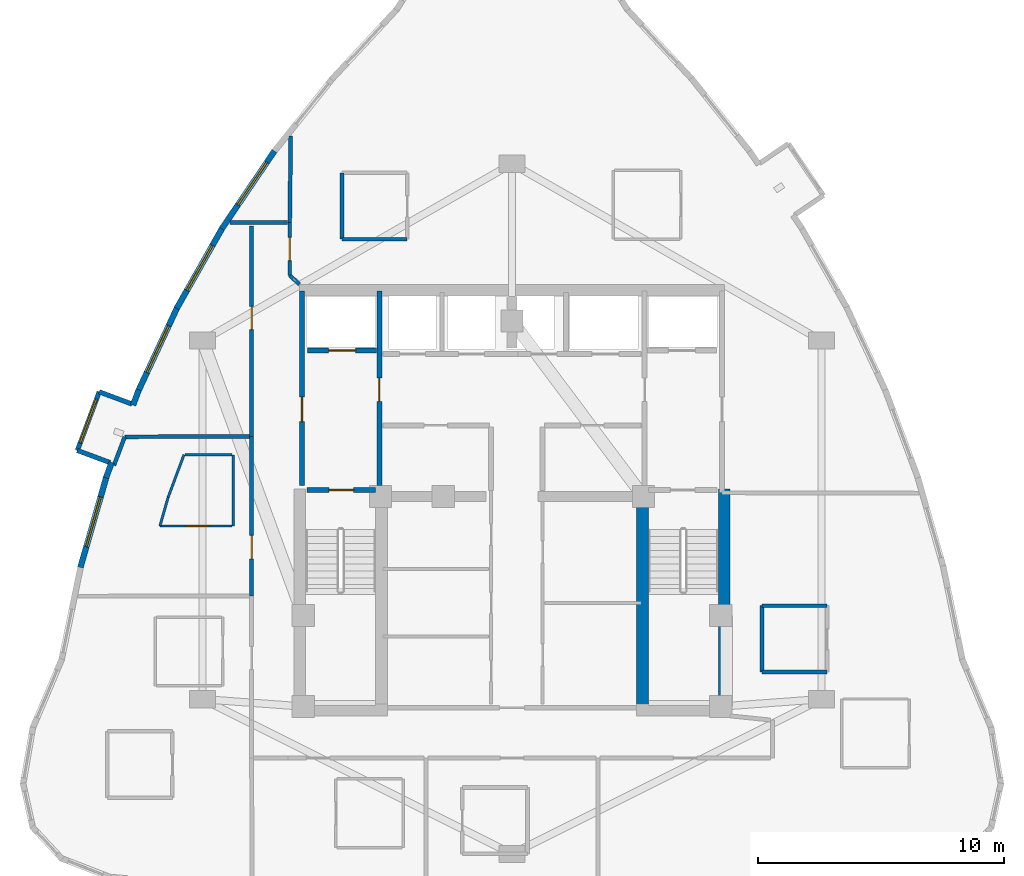
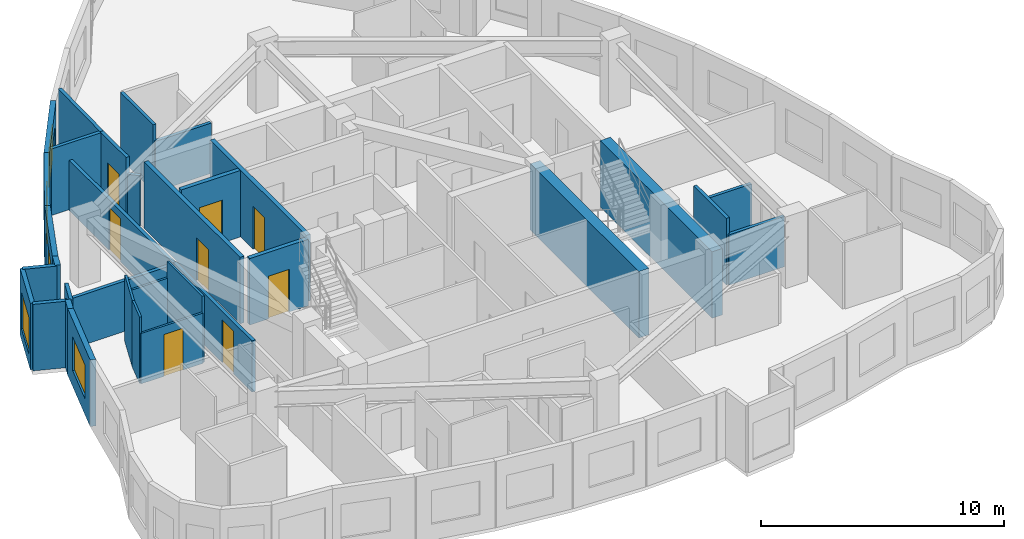
# One storey, part 5 of 9: 33 walls, 8 doors, 5 windows, 13 openings.
"""IFC4 building model written with IfcOpenShell, lengths in metres."""

import ifcopenshell
import ifcopenshell.guid

model = None  # the IFC model being written
_history = None  # IfcOwnerHistory: only IFC2X3 demands one
_inside = {}  # id of a spatial element -> (the spatial element, [elements in it])
_under = {}  # id of a project, library or spatial element -> (it, [spatial elements below it])
_declared = {}  # id of a project -> (the project, [libraries it declares])
_typed = {}  # id of a type object -> (the type object, [elements of that type])
_made_of = {}  # id of a material, layer set ... -> (it, [elements and type objects made of it])


def new_model(schema):
    """Start an empty IFC model of exactly this schema.

    Asked for "IFC4X3", IfcOpenShell would pick the latest addendum, in which some entities
    have other attributes; the version numbers below select the first issue.
    IFC2X3 requires an IfcOwnerHistory on every rooted entity: one is made here for all.
    """
    global model, _history
    if schema == "IFC4X3":
        model = ifcopenshell.file(schema_version=(4, 3, 0, 0))
    else:
        model = ifcopenshell.file(schema=schema)
    _inside.clear()
    _under.clear()
    _declared.clear()
    _typed.clear()
    _made_of.clear()
    _history = None
    if model.schema == "IFC2X3":
        org = make("IfcOrganization", Name="unknown")
        user = make(
            "IfcPersonAndOrganization",
            ThePerson=make("IfcPerson", FamilyName="unknown"),
            TheOrganization=org,
        )
        app = make(
            "IfcApplication",
            ApplicationDeveloper=org,
            Version="unknown",
            ApplicationFullName="unknown",
            ApplicationIdentifier="unknown",
        )
        _history = make(
            "IfcOwnerHistory",
            OwningUser=user,
            OwningApplication=app,
            ChangeAction="ADDED",
            CreationDate=0,
        )
    return model


def make(cls, **values):
    """One entity of the class cls with the attributes given. An attribute that is None is left unset."""
    return model.create_entity(
        cls, **{name: value for name, value in values.items() if value is not None}
    )


def rooted(cls, **values):
    """An entity with a GlobalId (a new one), such as an element, a storey or a relation."""
    return make(cls, GlobalId=ifcopenshell.guid.new(), OwnerHistory=_history, **values)


def si_unit(unit_type, name, prefix=None):
    """IfcSIUnit, for example si_unit("LENGTHUNIT", "METRE", prefix="MILLI")."""
    return make("IfcSIUnit", UnitType=unit_type, Prefix=prefix, Name=name)


def assignment(units):
    """IfcUnitAssignment: the units of a project."""
    return None if units is None else make("IfcUnitAssignment", Units=units)


def point(xyz):
    """IfcCartesianPoint."""
    return None if xyz is None else make("IfcCartesianPoint", Coordinates=xyz)


def direction(xyz):
    """IfcDirection."""
    return None if xyz is None else make("IfcDirection", DirectionRatios=xyz)


def frame(location, z_axis=None, x_axis=None):
    """IfcAxis2Placement3D, a coordinate frame: its origin and axes. An axis left out is left unset."""
    return make(
        "IfcAxis2Placement3D",
        Location=point(location),
        Axis=direction(z_axis),
        RefDirection=direction(x_axis),
    )


def frame_2d(location, x_axis=None):
    """IfcAxis2Placement2D, a coordinate frame in the plane: its origin and x axis."""
    return make(
        "IfcAxis2Placement2D", Location=point(location), RefDirection=direction(x_axis)
    )


def origin():
    """The frame at (0, 0, 0) with its axes left unset."""
    return frame((0.0, 0.0, 0.0))


def place(relative_to, where):
    """IfcLocalPlacement: puts the frame where relative to a parent placement (None: the world)."""
    return make(
        "IfcLocalPlacement", PlacementRelTo=relative_to, RelativePlacement=where
    )


def context(
    kind, dimensions, precision=None, world=None, true_north=None, identifier=None
):
    """IfcGeometricRepresentationContext, for example the 3D "Model" context."""
    return make(
        "IfcGeometricRepresentationContext",
        ContextIdentifier=identifier,
        ContextType=kind,
        CoordinateSpaceDimension=dimensions,
        Precision=precision,
        WorldCoordinateSystem=world,
        TrueNorth=true_north,
    )


def subcontext(parent, identifier, kind, view, scale=None):
    """IfcGeometricRepresentationSubContext, for example "Body" below "Model"."""
    return make(
        "IfcGeometricRepresentationSubContext",
        ContextIdentifier=identifier,
        ContextType=kind,
        ParentContext=parent,
        TargetScale=scale,
        TargetView=view,
    )


def project(units=None, contexts=None):
    """IfcProject with its units and contexts."""
    return rooted(
        "IfcProject",
        Name="project",
        RepresentationContexts=contexts,
        UnitsInContext=assignment(units),
    )


def spatial(cls, under=None, at=None, **own):
    """A site, building, storey or space (cls), placed at a placement, below another one or the project."""
    s = rooted(cls, ObjectPlacement=at, **own)
    if under is not None:
        _under.setdefault(under.id(), (under, []))[1].append(s)
    return s


def profile(cls, at=None, kind="AREA", **sizes):
    """A parametric profile (cls). Its sizes go by their IFC names, for example OverallWidth=200.0."""
    return make(cls, ProfileType=kind, Position=at, **sizes)


def rectangle(**sizes):
    """IfcRectangleProfileDef."""
    return profile("IfcRectangleProfileDef", **sizes)


def extrude(swept, where, along, depth):
    """IfcExtrudedAreaSolid: the profile swept, set in the frame where, extruded along a direction by depth."""
    return make(
        "IfcExtrudedAreaSolid",
        SweptArea=swept,
        Position=where,
        ExtrudedDirection=direction(along),
        Depth=depth,
    )


def shape(context_of_items, identifier, shape_type, items):
    """IfcShapeRepresentation: the items that make up one representation, for example the "Body"."""
    return make(
        "IfcShapeRepresentation",
        ContextOfItems=context_of_items,
        RepresentationIdentifier=identifier,
        RepresentationType=shape_type,
        Items=items,
    )


def material(Name=None, Category=None):
    """IfcMaterial."""
    return make("IfcMaterial", Name=Name, Category=Category)


def layer(
    of_material, thickness, ventilated=None, Name=None, Category=None, Priority=None
):
    """IfcMaterialLayer: one layer of a wall or slab, of a material (None: an air gap)."""
    return make(
        "IfcMaterialLayer",
        Material=of_material,
        LayerThickness=thickness,
        IsVentilated=ventilated,
        Name=Name,
        Category=Category,
        Priority=Priority,
    )


def layer_set(layers, Name=None):
    """IfcMaterialLayerSet."""
    return make("IfcMaterialLayerSet", MaterialLayers=layers, LayerSetName=Name)


def made_of(thing, what):
    """Note that an element or type object is made of a material, layer set ...; save() writes the relation."""
    if what is not None:
        _made_of.setdefault(what.id(), (what, []))[1].append(thing)
    return thing


def type_object(cls, material=None, **own):
    """A type object (cls), such as IfcWallType, which elements share."""
    return made_of(rooted(cls, **own), material)


def element(
    cls,
    number,
    at=None,
    inside=None,
    cuts=None,
    type_object=None,
    material=None,
    context=None,
    identifier="Body",
    shape_type=None,
    held_by="IfcProductDefinitionShape",
    body=None,
    shapes=None,
    **own,
):
    """One element of the class cls, such as IfcWall. Its Tag is "e" and its number.

    at: its placement. inside: the storey or other place that contains it. cuts: it is an
    opening in that element (IfcRelVoidsElement). A single representation is given by context,
    identifier, shape_type and body (its items); several are given by shapes. held_by: the class
    of the entity that holds the representations. save() writes the other relations.
    """
    e = rooted(cls, Tag="e%d" % number, ObjectPlacement=at, **own)
    if body is not None:
        shapes = [shape(context, identifier, shape_type, body)]
    if shapes is not None:
        e.Representation = make(held_by, Representations=shapes)
    if inside is not None:
        _inside.setdefault(inside.id(), (inside, []))[1].append(e)
    if cuts is not None:
        rooted(
            "IfcRelVoidsElement", RelatingBuildingElement=cuts, RelatedOpeningElement=e
        )
    if type_object is not None:
        _typed.setdefault(type_object.id(), (type_object, []))[1].append(e)
    return made_of(e, material)


def fill(opening, filler):
    """IfcRelFillsElement: the door or window that sits in an opening."""
    return rooted(
        "IfcRelFillsElement",
        RelatingOpeningElement=opening,
        RelatedBuildingElement=filler,
    )


def aggregate(whole, parts):
    """IfcRelAggregates: a whole, such as a stair, and the parts it consists of."""
    return rooted("IfcRelAggregates", RelatingObject=whole, RelatedObjects=parts)


def save(model, path):
    """Write the relations noted so far, then the file.

    IfcRelAggregates (storeys below a building ...), IfcRelContainedInSpatialStructure (elements
    in a storey), IfcRelDefinesByType, IfcRelAssociatesMaterial and IfcRelDeclares: one each for
    every whole, place, type object, material and project.
    """
    for whole, parts in _under.values():
        aggregate(whole, parts)
    for where, things in _inside.values():
        rooted(
            "IfcRelContainedInSpatialStructure",
            RelatedElements=things,
            RelatingStructure=where,
        )
    for kind, things in _typed.values():
        rooted("IfcRelDefinesByType", RelatedObjects=things, RelatingType=kind)
    for what, things in _made_of.values():
        rooted("IfcRelAssociatesMaterial", RelatedObjects=things, RelatingMaterial=what)
    for by, libraries in _declared.values():
        rooted("IfcRelDeclares", RelatingContext=by, RelatedDefinitions=libraries)
    model.write(path)


model = new_model("IFC4")

# Units and contexts
model_context = context("Model", 3, precision=1e-05, world=origin(), true_north=direction((0.0, 1.0)))
body_context = subcontext(model_context, "Body", "Model", "MODEL_VIEW")
ifc_project = project(units=[si_unit("LENGTHUNIT", "METRE"), si_unit("AREAUNIT", "SQUARE_METRE"), si_unit("VOLUMEUNIT", "CUBIC_METRE"), si_unit("PLANEANGLEUNIT", "RADIAN"), si_unit("MASSUNIT", "GRAM", prefix="KILO")], contexts=[model_context])

# Site, building, storey
site_placement = place(None, origin())
site = spatial("IfcSite", under=ifc_project, at=site_placement, CompositionType="ELEMENT")
building_placement = place(site_placement, origin())
building = spatial("IfcBuilding", under=site, at=building_placement, Name="Miruveldt Soraemaru", CompositionType="ELEMENT")
storey_placement = place(building_placement, frame((0.0, 0.0, 244.800048828125)))
storey = spatial("IfcBuildingStorey", under=building, at=storey_placement, Name="L67", CompositionType="ELEMENT", Elevation=244.800048828125)

# Walls
ifc_material_1 = material(Name="White powder-coated aluminium EN AW-6060 T6", Category="aluminium")
ifc_layer_1 = layer(ifc_material_1, 0.18994140625, Name="White powder-coated aluminium EN AW-6060 T6", Category="aluminium")
ifc_layer_set_1 = layer_set([ifc_layer_1], Name="White powder-coated aluminium EN AW-6060 T6")
wall_type_1 = type_object("IfcWallType", Name="WALL-BAY-ALU190", PredefinedType="SOLIDWALL", material=ifc_layer_set_1)
wall_1_placement = place(storey_placement, frame((28.5283203125, 47.818603515625, 0.0), z_axis=(0.0, 0.0, 1.0), x_axis=(-0.937108491365, 0.349038214831, 0.0)))
element("IfcWall", 1, at=wall_1_placement, inside=storey, type_object=wall_type_1, Name="L67 Bay Window Side Cheek 1L", PredefinedType="SOLIDWALL", context=body_context, shape_type="SweptSolid", body=[
    extrude(rectangle(XDim=1.4248046875, YDim=0.18994140625, at=frame_2d((0.71240234375, 0.0))), origin(), (0.0, 0.0, 1.0), 3.344970703125),
])
wall_2_placement = place(storey_placement, frame((26.302490234375, 45.92529296875, 0.0), z_axis=(0.0, 0.0, 1.0), x_axis=(0.937129361406, -0.348982177182, 0.0)))
element("IfcWall", 2, at=wall_2_placement, inside=storey, type_object=wall_type_1, Name="L67 Bay Window Side Cheek 1R", PredefinedType="SOLIDWALL", context=body_context, shape_type="SweptSolid", body=[
    extrude(rectangle(XDim=1.425048828125, YDim=0.18994140625, at=frame_2d((0.71240234375, 0.0))), origin(), (0.0, 0.0, 1.0), 3.344970703125),
])

# Wall, opening, window
wall_3_placement = place(storey_placement, frame((27.193115234375, 48.31591796875, 0.0), z_axis=(0.0, 0.0, 1.0), x_axis=(-0.349109023173, -0.937082114833, 0.0)))
wall_3 = element("IfcWall", 3, at=wall_3_placement, inside=storey, type_object=wall_type_1, Name="L67 Bay Window Front Frame 1", PredefinedType="SOLIDWALL", context=body_context, shape_type="SweptSolid", body=[
    extrude(rectangle(XDim=2.551025390625, YDim=0.18994140625, at=frame_2d((1.275390625, 0.0))), origin(), (0.0, 0.0, 1.0), 3.344970703125),
])
opening_1_placement = place(wall_3_placement, frame((0.325927734375, 0.0, 0.550048828125)))
opening_1 = element("IfcOpeningElement", 4, at=opening_1_placement, cuts=wall_3, Name="Opening WN-6", PredefinedType="OPENING", context=body_context, shape_type="SweptSolid", body=[
    extrude(rectangle(XDim=1.89990234375, YDim=1.85009765625, at=frame_2d((0.949951171875, 0.925048828125))), frame((0.0, 0.10498046875, 0.0), z_axis=(0.0, -1.0, 0.0), x_axis=(1.0, 0.0, 0.0)), (0.0, 0.0, 1.0), 0.2099609375),
])
ifc_material_2 = material(Name="Triple low-e insulated glazing", Category="glass")
window_type_1 = type_object("IfcWindowType", Name="WIN-BAYW-1900x1850", PartitioningType="SINGLE_PANEL", PredefinedType="WINDOW", material=ifc_material_2)
window_1_placement = place(opening_1_placement, origin())
window_1 = element("IfcWindow", 5, at=window_1_placement, inside=storey, type_object=window_type_1, Name="L67 Projecting Bay Window 1", OverallHeight=1.85009765625, OverallWidth=1.89990234375, PartitioningType="SINGLE_PANEL", PredefinedType="WINDOW", context=body_context, shape_type="SweptSolid", body=[
    extrude(rectangle(XDim=1.89990234375, YDim=1.85009765625, at=frame_2d((0.949951171875, 0.925048828125))), frame((0.0, 0.030029296875, 0.0), z_axis=(0.0, -1.0, 0.0), x_axis=(1.0, 0.0, 0.0)), (0.0, 0.0, 1.0), 0.06005859375),
])
fill(opening_1, window_1)

# Walls
ifc_material_3 = material(Name="Concrete C60/75 (60 MPa)", Category="concrete")
ifc_layer_2 = layer(ifc_material_3, 0.47998046875, Name="Concrete C60/75 (60 MPa)", Category="concrete")
ifc_layer_set_2 = layer_set([ifc_layer_2], Name="Concrete C60/75 (60 MPa)")
wall_type_2 = type_object("IfcWallType", Name="WALL-CW-480", PredefinedType="SHEAR", material=ifc_layer_set_2)
wall_4_placement = place(storey_placement, frame((52.639892578125, 35.1201171875, 0.0), z_axis=(0.0, 0.0, 1.0), x_axis=(0.0, 1.0, 0.0)))
element("IfcWall", 6, at=wall_4_placement, inside=storey, type_object=wall_type_2, Name="L67 Central Core Shear Wall E1", PredefinedType="SHEAR", context=body_context, shape_type="SweptSolid", body=[
    extrude(rectangle(XDim=9.22998046875, YDim=0.47998046875, at=frame_2d((4.614990234375, 0.0))), origin(), (0.0, 0.0, 1.0), 3.344970703125),
])
wall_5_placement = place(storey_placement, frame((49.31005859375, 35.39990234375, 0.0), z_axis=(0.0, 0.0, 1.0), x_axis=(0.0, 1.0, 0.0)))
element("IfcWall", 7, at=wall_5_placement, inside=storey, type_object=wall_type_2, Name="L67 Central Core Shear Wall SE-INT", PredefinedType="SHEAR", context=body_context, shape_type="SweptSolid", body=[
    extrude(rectangle(XDim=8.9501953125, YDim=0.47998046875, at=frame_2d((4.47509765625, 0.0))), origin(), (0.0, 0.0, 1.0), 3.344970703125),
])

# Wall, opening, window
ifc_material_4 = material(Name="Precast concrete C45/55 (45 MPa)", Category="concrete")
ifc_layer_3 = layer(ifc_material_4, 0.239990234375, Name="Precast concrete C45/55 (45 MPa)", Category="concrete")
ifc_layer_set_3 = layer_set([ifc_layer_3], Name="Precast concrete C45/55 (45 MPa)")
wall_type_3 = type_object("IfcWallType", Name="WALL-EXT-PC240", PredefinedType="SOLIDWALL", material=ifc_layer_set_3)
wall_6_placement = place(storey_placement, frame((34.325439453125, 58.11669921875, 0.0), z_axis=(0.0, 0.0, 1.0), x_axis=(-0.560804347759, -0.827948358012, 0.0)))
wall_6 = element("IfcWall", 8, at=wall_6_placement, inside=storey, type_object=wall_type_3, Name="L67 Precast Concrete Facade Wall 9", PredefinedType="SOLIDWALL", context=body_context, shape_type="SweptSolid", body=[
    extrude(rectangle(XDim=3.821044921875, YDim=0.239990234375, at=frame_2d((1.91064453125, 0.0))), origin(), (0.0, 0.0, 1.0), 3.344970703125),
])
opening_2_placement = place(wall_6_placement, frame((0.5458984375, 0.0, 0.800048828125)))
opening_2 = element("IfcOpeningElement", 9, at=opening_2_placement, cuts=wall_6, Name="Opening WN-1", PredefinedType="OPENING", context=body_context, shape_type="SweptSolid", body=[
    extrude(rectangle(XDim=2.10009765625, YDim=1.699951171875, at=frame_2d((1.050048828125, 0.85009765625))), frame((0.0, 0.1298828125, 0.0), z_axis=(0.0, -1.0, 0.0), x_axis=(1.0, 0.0, 0.0)), (0.0, 0.0, 1.0), 0.260009765625),
])
window_type_2 = type_object("IfcWindowType", Name="WIN-PUNCH-2100x1700", PartitioningType="SINGLE_PANEL", PredefinedType="WINDOW", material=ifc_material_2)
window_2_placement = place(opening_2_placement, origin())
window_2 = element("IfcWindow", 10, at=window_2_placement, inside=storey, type_object=window_type_2, Name="L67 Punched Triple-Glazed Window 09.1", OverallHeight=1.699951171875, OverallWidth=2.10009765625, PartitioningType="SINGLE_PANEL", PredefinedType="WINDOW", context=body_context, shape_type="SweptSolid", body=[
    extrude(rectangle(XDim=2.10009765625, YDim=1.699951171875, at=frame_2d((1.050048828125, 0.85009765625))), frame((0.0, 0.030029296875, 0.0), z_axis=(0.0, -1.0, 0.0), x_axis=(1.0, 0.0, 0.0)), (0.0, 0.0, 1.0), 0.06005859375),
])
fill(opening_2, window_2)

wall_7_placement = place(storey_placement, frame((32.219482421875, 55.012451171875, 0.0), z_axis=(0.0, 0.0, 1.0), x_axis=(-0.493408355717, -0.869797789437, 0.0)))
wall_7 = element("IfcWall", 11, at=wall_7_placement, inside=storey, type_object=wall_type_3, Name="L67 Precast Concrete Facade Wall 10", PredefinedType="SOLIDWALL", context=body_context, shape_type="SweptSolid", body=[
    extrude(rectangle(XDim=3.797119140625, YDim=0.239990234375, at=frame_2d((1.8984375, 0.0))), origin(), (0.0, 0.0, 1.0), 3.344970703125),
])
opening_3_placement = place(wall_7_placement, frame((0.84912109375, 0.0, 0.800048828125)))
opening_3 = element("IfcOpeningElement", 12, at=opening_3_placement, cuts=wall_7, Name="Opening WN-1", PredefinedType="OPENING", context=body_context, shape_type="SweptSolid", body=[
    extrude(rectangle(XDim=2.10009765625, YDim=1.699951171875, at=frame_2d((1.050048828125, 0.85009765625))), frame((0.0, 0.1298828125, 0.0), z_axis=(0.0, -1.0, 0.0), x_axis=(1.0, 0.0, 0.0)), (0.0, 0.0, 1.0), 0.260009765625),
])
window_3_placement = place(opening_3_placement, origin())
window_3 = element("IfcWindow", 13, at=window_3_placement, inside=storey, type_object=window_type_2, Name="L67 Punched Triple-Glazed Window 10.1", OverallHeight=1.699951171875, OverallWidth=2.10009765625, PartitioningType="SINGLE_PANEL", PredefinedType="WINDOW", context=body_context, shape_type="SweptSolid", body=[
    extrude(rectangle(XDim=2.10009765625, YDim=1.699951171875, at=frame_2d((1.050048828125, 0.85009765625))), frame((0.0, 0.030029296875, 0.0), z_axis=(0.0, -1.0, 0.0), x_axis=(1.0, 0.0, 0.0)), (0.0, 0.0, 1.0), 0.06005859375),
])
fill(opening_3, window_3)

wall_8_placement = place(storey_placement, frame((30.378173828125, 51.771728515625, 0.0), z_axis=(0.0, 0.0, 1.0), x_axis=(-0.422353902845, -0.906431012682, 0.0)))
wall_8 = element("IfcWall", 14, at=wall_8_placement, inside=storey, type_object=wall_type_3, Name="L67 Precast Concrete Facade Wall 11", PredefinedType="SOLIDWALL", context=body_context, shape_type="SweptSolid", body=[
    extrude(rectangle(XDim=3.797119140625, YDim=0.239990234375, at=frame_2d((1.8984375, 0.0))), origin(), (0.0, 0.0, 1.0), 3.344970703125),
])
opening_4_placement = place(wall_8_placement, frame((0.84912109375, 0.0, 0.800048828125)))
opening_4 = element("IfcOpeningElement", 15, at=opening_4_placement, cuts=wall_8, Name="Opening WN-1", PredefinedType="OPENING", context=body_context, shape_type="SweptSolid", body=[
    extrude(rectangle(XDim=2.10009765625, YDim=1.699951171875, at=frame_2d((1.050048828125, 0.85009765625))), frame((0.0, 0.1298828125, 0.0), z_axis=(0.0, -1.0, 0.0), x_axis=(1.0, 0.0, 0.0)), (0.0, 0.0, 1.0), 0.260009765625),
])
window_4_placement = place(opening_4_placement, origin())
window_4 = element("IfcWindow", 16, at=window_4_placement, inside=storey, type_object=window_type_2, Name="L67 Punched Triple-Glazed Window 11.1", OverallHeight=1.699951171875, OverallWidth=2.10009765625, PartitioningType="SINGLE_PANEL", PredefinedType="WINDOW", context=body_context, shape_type="SweptSolid", body=[
    extrude(rectangle(XDim=2.10009765625, YDim=1.699951171875, at=frame_2d((1.050048828125, 0.85009765625))), frame((0.0, 0.030029296875, 0.0), z_axis=(0.0, -1.0, 0.0), x_axis=(1.0, 0.0, 0.0)), (0.0, 0.0, 1.0), 0.06005859375),
])
fill(opening_4, window_4)

# Walls
wall_9_placement = place(storey_placement, frame((28.801513671875, 48.394287109375, 0.0), z_axis=(0.0, 0.0, 1.0), x_axis=(-0.349191210369, -0.937051491969, 0.0)))
element("IfcWall", 17, at=wall_9_placement, inside=storey, type_object=wall_type_3, Name="L67 Precast Pier Wall 12A", PredefinedType="SOLIDWALL", context=body_context, shape_type="SweptSolid", body=[
    extrude(rectangle(XDim=0.664794921875, YDim=0.239990234375, at=frame_2d((0.33251953125, 0.0))), origin(), (0.0, 0.0, 1.0), 3.344970703125),
])
wall_10_placement = place(storey_placement, frame((27.699951171875, 45.43701171875, 0.0), z_axis=(0.0, 0.0, 1.0), x_axis=(-0.348748710046, -0.937216270261, 0.0)))
element("IfcWall", 18, at=wall_10_placement, inside=storey, type_object=wall_type_3, Name="L67 Precast Pier Wall 12B", PredefinedType="SOLIDWALL", context=body_context, shape_type="SweptSolid", body=[
    extrude(rectangle(XDim=0.6650390625, YDim=0.239990234375, at=frame_2d((0.33251953125, 0.0))), origin(), (0.0, 0.0, 1.0), 3.344970703125),
])

# Wall, opening, window
wall_11_placement = place(storey_placement, frame((27.48974609375, 44.88037109375, 0.0), z_axis=(0.0, 0.0, 1.0), x_axis=(-0.27493786248, -0.961461997052, 0.0)))
wall_11 = element("IfcWall", 19, at=wall_11_placement, inside=storey, type_object=wall_type_3, Name="L67 Precast Concrete Facade Wall 13", PredefinedType="SOLIDWALL", context=body_context, shape_type="SweptSolid", body=[
    extrude(rectangle(XDim=3.8681640625, YDim=0.239990234375, at=frame_2d((1.93408203125, 0.0))), origin(), (0.0, 0.0, 1.0), 3.344970703125),
])
opening_5_placement = place(wall_11_placement, frame((0.884033203125, 0.0, 0.800048828125)))
opening_5 = element("IfcOpeningElement", 20, at=opening_5_placement, cuts=wall_11, Name="Opening WN-1", PredefinedType="OPENING", context=body_context, shape_type="SweptSolid", body=[
    extrude(rectangle(XDim=2.10009765625, YDim=1.699951171875, at=frame_2d((1.050048828125, 0.85009765625))), frame((0.0, 0.1298828125, 0.0), z_axis=(0.0, -1.0, 0.0), x_axis=(1.0, 0.0, 0.0)), (0.0, 0.0, 1.0), 0.260009765625),
])
window_5_placement = place(opening_5_placement, origin())
window_5 = element("IfcWindow", 21, at=window_5_placement, inside=storey, type_object=window_type_2, Name="L67 Punched Triple-Glazed Window 13.1", OverallHeight=1.699951171875, OverallWidth=2.10009765625, PartitioningType="SINGLE_PANEL", PredefinedType="WINDOW", context=body_context, shape_type="SweptSolid", body=[
    extrude(rectangle(XDim=2.10009765625, YDim=1.699951171875, at=frame_2d((1.050048828125, 0.85009765625))), frame((0.0, 0.030029296875, 0.0), z_axis=(0.0, -1.0, 0.0), x_axis=(1.0, 0.0, 0.0)), (0.0, 0.0, 1.0), 0.06005859375),
])
fill(opening_5, window_5)

# Wall, opening, door
ifc_material_5 = material(Name="Gypsum plasterboard lining", Category="gypsum")
ifc_layer_4 = layer(ifc_material_5, 0.10009765625, Name="Gypsum plasterboard lining", Category="gypsum")
ifc_layer_set_4 = layer_set([ifc_layer_4], Name="Gypsum plasterboard lining")
wall_type_4 = type_object("IfcWallType", Name="WALL-INT-P100", PredefinedType="PARTITIONING", material=ifc_layer_set_4)
wall_12_placement = place(storey_placement, frame((32.60009765625, 42.85009765625, 0.0), z_axis=(0.0, 0.0, 1.0), x_axis=(-1.0, 0.0, 0.0)))
wall_12 = element("IfcWall", 22, at=wall_12_placement, inside=storey, type_object=wall_type_4, Name="L67 Partition Wall 24", PredefinedType="PARTITIONING", context=body_context, shape_type="SweptSolid", body=[
    extrude(rectangle(XDim=2.934814453125, YDim=0.10009765625, at=frame_2d((1.46728515625, 0.0))), origin(), (0.0, 0.0, 1.0), 2.532958984375),
])
opening_6_placement = place(wall_12_placement, frame((0.93994140625, 0.0, 0.0)))
opening_6 = element("IfcOpeningElement", 23, at=opening_6_placement, cuts=wall_12, Name="Opening D3A", PredefinedType="OPENING", context=body_context, shape_type="SweptSolid", body=[
    extrude(rectangle(XDim=0.919921875, YDim=2.10009765625, at=frame_2d((0.4599609375, 1.050048828125))), frame((0.0, 0.06005859375, 0.0), z_axis=(0.0, -1.0, 0.0), x_axis=(1.0, 0.0, 0.0)), (0.0, 0.0, 1.0), 0.1201171875),
])
ifc_material_6 = material(Name="Anodised aluminium EN AW-6063 T6", Category="aluminium")
door_type_1 = type_object("IfcDoorType", Name="DOOR-INT-920", OperationType="NOTDEFINED", PredefinedType="DOOR", material=ifc_material_6)
door_1_placement = place(opening_6_placement, origin())
door_1 = element("IfcDoor", 24, at=door_1_placement, inside=storey, type_object=door_type_1, Name="L67 Unit CL03 KIT Door", OperationType="SINGLE_SWING_LEFT", OverallHeight=2.10009765625, OverallWidth=0.919921875, PredefinedType="DOOR", context=body_context, shape_type="SweptSolid", body=[
    extrude(rectangle(XDim=0.919921875, YDim=2.10009765625, at=frame_2d((0.4599609375, 1.050048828125))), frame((0.0, 0.02490234375, 0.0), z_axis=(0.0, -1.0, 0.0), x_axis=(1.0, 0.0, 0.0)), (0.0, 0.0, 1.0), 0.050048828125),
])
fill(opening_6, door_1)

# Walls
wall_13_placement = place(storey_placement, frame((32.64990234375, 45.75, 0.0), z_axis=(0.0, 0.0, 1.0), x_axis=(0.0, -1.0, 0.0)))
element("IfcWall", 25, at=wall_13_placement, inside=storey, type_object=wall_type_4, Name="L67 Partition Wall 28", PredefinedType="PARTITIONING", context=body_context, shape_type="SweptSolid", body=[
    extrude(rectangle(XDim=2.89990234375, YDim=0.10009765625, at=frame_2d((1.449951171875, 0.0))), origin(), (0.0, 0.0, 1.0), 3.344970703125),
])
wall_14_placement = place(storey_placement, frame((30.694091796875, 45.75, 0.0), z_axis=(0.0, 0.0, 1.0), x_axis=(1.0, 0.0, 0.0)))
element("IfcWall", 26, at=wall_14_placement, inside=storey, type_object=wall_type_4, Name="L67 Partition Wall 27", PredefinedType="PARTITIONING", context=body_context, shape_type="SweptSolid", body=[
    extrude(rectangle(XDim=1.906005859375, YDim=0.10009765625, at=frame_2d((0.953125, 0.0))), origin(), (0.0, 0.0, 1.0), 2.532958984375),
])
wall_15_placement = place(storey_placement, frame((30.0, 44.01904296875, 0.0), z_axis=(0.0, 0.0, 1.0), x_axis=(0.348717510046, 0.93722787954, 0.0)))
element("IfcWall", 27, at=wall_15_placement, inside=storey, type_object=wall_type_4, Name="L67 Partition Wall 26", PredefinedType="PARTITIONING", context=body_context, shape_type="SweptSolid", body=[
    extrude(rectangle(XDim=1.846923828125, YDim=0.10009765625, at=frame_2d((0.92333984375, 0.0))), origin(), (0.0, 0.0, 1.0), 3.344970703125),
])
wall_16_placement = place(storey_placement, frame((29.665283203125, 42.85009765625, 0.0), z_axis=(0.0, 0.0, 1.0), x_axis=(0.275277979594, 0.961364672718, 0.0)))
element("IfcWall", 28, at=wall_16_placement, inside=storey, type_object=wall_type_4, Name="L67 Partition Wall 25", PredefinedType="PARTITIONING", context=body_context, shape_type="SweptSolid", body=[
    extrude(rectangle(XDim=1.2158203125, YDim=0.10009765625, at=frame_2d((0.60791015625, 0.0))), origin(), (0.0, 0.0, 1.0), 3.344970703125),
])
ifc_layer_5 = layer(ifc_material_5, 0.14990234375, Name="Gypsum plasterboard lining", Category="gypsum")
ifc_layer_set_5 = layer_set([ifc_layer_5], Name="Gypsum plasterboard lining")
wall_type_5 = type_object("IfcWallType", Name="WALL-INT-PLUMB", PredefinedType="PLUMBINGWALL", material=ifc_layer_set_5)
for number, where, z_axis, x_axis, name in (
    (29, (54.179931640625, 39.60595703125, 0.0), (0.0, 0.0, 1.0), (0.0, -1.0, 0.0), "L67 Partition Wall 51"),
    (30, (37.080078125, 57.22998046875, 0.0), (0.0, 0.0, 1.0), (0.0, -1.0, 0.0), "L67 Partition Wall 15"),
):
    element("IfcWall", number, at=place(storey_placement, frame(where, z_axis=z_axis, x_axis=x_axis)), inside=storey, type_object=wall_type_5, Name=name, PredefinedType="PLUMBINGWALL", context=body_context, shape_type="SweptSolid", body=[
        extrude(rectangle(XDim=2.699951171875, YDim=0.14990234375, at=frame_2d((1.35009765625, 0.0))), origin(), (0.0, 0.0, 1.0), 3.344970703125),
    ])
wall_17_placement = place(storey_placement, frame((37.080078125, 54.530029296875, 0.0), z_axis=(0.0, 0.0, 1.0), x_axis=(1.0, 0.0, 0.0)))
element("IfcWall", 31, at=wall_17_placement, inside=storey, type_object=wall_type_5, Name="L67 Partition Wall 16", PredefinedType="PLUMBINGWALL", context=body_context, shape_type="SweptSolid", body=[
    extrude(rectangle(XDim=2.64990234375, YDim=0.14990234375, at=frame_2d((1.324951171875, 0.0))), origin(), (0.0, 0.0, 1.0), 2.532958984375),
])
for number, where, z_axis, x_axis, name in (
    (32, (56.830078125, 39.60595703125, 0.0), (0.0, 0.0, 1.0), (-1.0, 0.0, 0.0), "L67 Partition Wall 50"),
    (33, (54.179931640625, 36.906005859375, 0.0), (0.0, 0.0, 1.0), (1.0, 0.0, 0.0), "L67 Partition Wall 52"),
):
    element("IfcWall", number, at=place(storey_placement, frame(where, z_axis=z_axis, x_axis=x_axis)), inside=storey, type_object=wall_type_5, Name=name, PredefinedType="PLUMBINGWALL", context=body_context, shape_type="SweptSolid", body=[
        extrude(rectangle(XDim=2.650146484375, YDim=0.14990234375, at=frame_2d((1.3251953125, 0.0))), origin(), (0.0, 0.0, 1.0), 2.532958984375),
    ])

# Wall, opening, door
ifc_material_7 = material(Name="Concrete C40/50 (40 MPa)", Category="concrete")
ifc_layer_6 = layer(ifc_material_7, 0.159912109375, Name="Concrete C40/50 (40 MPa)", Category="concrete")
ifc_layer_set_6 = layer_set([ifc_layer_6], Name="Concrete C40/50 (40 MPa)")
wall_type_6 = type_object("IfcWallType", Name="WALL-INT-RC160", PredefinedType="SOLIDWALL", material=ifc_layer_set_6)
wall_18_placement = place(storey_placement, frame((33.39990234375, 55.06005859375, 0.0), z_axis=(0.0, 0.0, 1.0), x_axis=(0.0, -1.0, 0.0)))
wall_18 = element("IfcWall", 34, at=wall_18_placement, inside=storey, type_object=wall_type_6, Name="L67 Partition Wall 3", PredefinedType="SOLIDWALL", context=body_context, shape_type="SweptSolid", body=[
    extrude(rectangle(XDim=8.55712890625, YDim=0.159912109375, at=frame_2d((4.278564453125, 0.0))), origin(), (0.0, 0.0, 1.0), 2.532958984375),
])
opening_7_placement = place(wall_18_placement, frame((3.263916015625, 0.0, 0.0)))
opening_7 = element("IfcOpeningElement", 35, at=opening_7_placement, cuts=wall_18, Name="Opening FD2", PredefinedType="OPENING", context=body_context, shape_type="SweptSolid", body=[
    extrude(rectangle(XDim=0.949951171875, YDim=2.14990234375, at=frame_2d((0.47509765625, 1.074951171875))), frame((0.0, 0.08984375, 0.0), z_axis=(0.0, -1.0, 0.0), x_axis=(1.0, 0.0, 0.0)), (0.0, 0.0, 1.0), 0.179931640625),
])
door_type_2 = type_object("IfcDoorType", Name="DOOR-FD2-950", OperationType="NOTDEFINED", PredefinedType="DOOR", material=ifc_material_6)
door_2_placement = place(opening_7_placement, origin())
door_2 = element("IfcDoor", 36, at=door_2_placement, inside=storey, type_object=door_type_2, Name="L67 Unit CL02 Entrance Fire Door", OperationType="SINGLE_SWING_LEFT", OverallHeight=2.14990234375, OverallWidth=0.949951171875, PredefinedType="DOOR", context=body_context, shape_type="SweptSolid", body=[
    extrude(rectangle(XDim=0.949951171875, YDim=2.14990234375, at=frame_2d((0.47509765625, 1.074951171875))), frame((0.0, 0.02490234375, 0.0), z_axis=(0.0, -1.0, 0.0), x_axis=(1.0, 0.0, 0.0)), (0.0, 0.0, 1.0), 0.050048828125),
])
fill(opening_7, door_2)

wall_19_placement = place(storey_placement, frame((33.39990234375, 46.5, 0.0), z_axis=(0.0, 0.0, 1.0), x_axis=(0.0, -1.0, 0.0)))
wall_19 = element("IfcWall", 37, at=wall_19_placement, inside=storey, type_object=wall_type_6, Name="L67 Partition Wall 4", PredefinedType="SOLIDWALL", context=body_context, shape_type="SweptSolid", body=[
    extrude(rectangle(XDim=6.5, YDim=0.159912109375, at=frame_2d((3.25, 0.0))), origin(), (0.0, 0.0, 1.0), 2.5830078125),
])
opening_8_placement = place(wall_19_placement, frame((4.034912109375, 0.0, 0.0)))
opening_8 = element("IfcOpeningElement", 38, at=opening_8_placement, cuts=wall_19, Name="Opening FD2", PredefinedType="OPENING", context=body_context, shape_type="SweptSolid", body=[
    extrude(rectangle(XDim=0.949951171875, YDim=2.14990234375, at=frame_2d((0.47509765625, 1.074951171875))), frame((0.0, 0.08984375, 0.0), z_axis=(0.0, -1.0, 0.0), x_axis=(1.0, 0.0, 0.0)), (0.0, 0.0, 1.0), 0.179931640625),
])
door_3_placement = place(opening_8_placement, origin())
door_3 = element("IfcDoor", 39, at=door_3_placement, inside=storey, type_object=door_type_2, Name="L67 Unit CL03 Entrance Fire Door", OperationType="SINGLE_SWING_RIGHT", OverallHeight=2.14990234375, OverallWidth=0.949951171875, PredefinedType="DOOR", context=body_context, shape_type="SweptSolid", body=[
    extrude(rectangle(XDim=0.949951171875, YDim=2.14990234375, at=frame_2d((0.47509765625, 1.074951171875))), frame((0.0, 0.02490234375, 0.0), z_axis=(0.0, -1.0, 0.0), x_axis=(1.0, 0.0, 0.0)), (0.0, 0.0, 1.0), 0.050048828125),
])
fill(opening_8, door_3)

wall_20_placement = place(storey_placement, frame((34.949951171875, 53.052978515625, 0.0), z_axis=(0.0, 0.0, 1.0), x_axis=(0.0, 1.0, 0.0)))
wall_20 = element("IfcWall", 40, at=wall_20_placement, inside=storey, type_object=wall_type_6, Name="L67 Partition Wall 1", PredefinedType="SOLIDWALL", context=body_context, shape_type="SweptSolid", body=[
    extrude(rectangle(XDim=2.14697265625, YDim=0.159912109375, at=frame_2d((1.073486328125, 0.0))), origin(), (0.0, 0.0, 1.0), 3.344970703125),
])
opening_9_placement = place(wall_20_placement, frame((0.59912109375, 0.0, 0.0)))
opening_9 = element("IfcOpeningElement", 41, at=opening_9_placement, cuts=wall_20, Name="Opening FD2", PredefinedType="OPENING", context=body_context, shape_type="SweptSolid", body=[
    extrude(rectangle(XDim=0.949951171875, YDim=2.14990234375, at=frame_2d((0.47509765625, 1.074951171875))), frame((0.0, 0.08984375, 0.0), z_axis=(0.0, -1.0, 0.0), x_axis=(1.0, 0.0, 0.0)), (0.0, 0.0, 1.0), 0.179931640625),
])
door_4_placement = place(opening_9_placement, origin())
door_4 = element("IfcDoor", 42, at=door_4_placement, inside=storey, type_object=door_type_2, Name="L67 Unit CL01 Entrance Fire Door", OperationType="SINGLE_SWING_RIGHT", OverallHeight=2.14990234375, OverallWidth=0.949951171875, PredefinedType="DOOR", context=body_context, shape_type="SweptSolid", body=[
    extrude(rectangle(XDim=0.949951171875, YDim=2.14990234375, at=frame_2d((0.47509765625, 1.074951171875))), frame((0.0, 0.02490234375, 0.0), z_axis=(0.0, -1.0, 0.0), x_axis=(1.0, 0.0, 0.0)), (0.0, 0.0, 1.0), 0.050048828125),
])
fill(opening_9, door_4)

# Walls
wall_21_placement = place(storey_placement, frame((28.23291015625, 46.48095703125, 0.0), z_axis=(0.0, 0.0, 1.0), x_axis=(0.999992993772, 0.003743314945, 0.0)))
element("IfcWall", 43, at=wall_21_placement, inside=storey, type_object=wall_type_6, Name="L67 Partition Wall 23", PredefinedType="SOLIDWALL", context=body_context, shape_type="SweptSolid", body=[
    extrude(rectangle(XDim=5.087158203125, YDim=0.159912109375, at=frame_2d((2.54345703125, 0.0))), origin(), (0.0, 0.0, 1.0), 2.532958984375),
])
wall_22_placement = place(storey_placement, frame((34.990966796875, 58.72998046875, 0.0), z_axis=(0.0, 0.0, 1.0), x_axis=(-0.011627925665, -0.999932393387, 0.0)))
element("IfcWall", 44, at=wall_22_placement, inside=storey, type_object=wall_type_6, Name="L67 Partition Wall 21", PredefinedType="SOLIDWALL", context=body_context, shape_type="SweptSolid", body=[
    extrude(rectangle(XDim=3.52734375, YDim=0.159912109375, at=frame_2d((1.763671875, 0.0))), origin(), (0.0, 0.0, 1.0), 3.344970703125),
])
wall_23_placement = place(storey_placement, frame((34.866943359375, 55.199951171875, 0.0), z_axis=(0.0, 0.0, 1.0), x_axis=(-1.0, 0.0, 0.0)))
element("IfcWall", 45, at=wall_23_placement, inside=storey, type_object=wall_type_6, Name="L67 Partition Wall 2", PredefinedType="SOLIDWALL", context=body_context, shape_type="SweptSolid", body=[
    extrude(rectangle(XDim=2.35400390625, YDim=0.159912109375, at=frame_2d((1.177001953125, 0.0))), origin(), (0.0, 0.0, 1.0), 3.344970703125),
])
wall_24_placement = place(storey_placement, frame((28.23291015625, 46.48095703125, 0.0), z_axis=(0.0, 0.0, 1.0), x_axis=(-0.354346649973, -0.935114138302, 0.0)))
element("IfcWall", 46, at=wall_24_placement, inside=storey, type_object=wall_type_6, Name="L67 Partition Closure Return 2", PredefinedType="SOLIDWALL", context=body_context, shape_type="SweptSolid", body=[
    extrude(rectangle(XDim=1.244384765625, YDim=0.159912109375, at=frame_2d((0.6220703125, 0.0))), origin(), (0.0, 0.0, 1.0), 3.344970703125),
])
wall_25_placement = place(storey_placement, frame((34.949951171875, 53.052978515625, 0.0), z_axis=(0.0, 0.0, 1.0), x_axis=(0.740614438713, -0.671930244274, 0.0)))
element("IfcWall", 47, at=wall_25_placement, inside=storey, type_object=wall_type_6, Name="L67 Partition Closure Return 1", PredefinedType="SOLIDWALL", context=body_context, shape_type="SweptSolid", body=[
    extrude(rectangle(XDim=0.540283203125, YDim=0.159912109375, at=frame_2d((0.27001953125, 0.0))), origin(), (0.0, 0.0, 1.0), 2.532958984375),
])

# Wall, opening, door
ifc_layer_7 = layer(ifc_material_7, 0.199951171875, Name="Concrete C40/50 (40 MPa)", Category="concrete")
ifc_layer_set_7 = layer_set([ifc_layer_7], Name="Concrete C40/50 (40 MPa)")
wall_type_7 = type_object("IfcWallType", Name="WALL-INT-RC200", PredefinedType="SOLIDWALL", material=ifc_layer_set_7)
wall_26_placement = place(storey_placement, frame((35.449951171875, 44.5, 0.0), z_axis=(0.0, 0.0, 1.0), x_axis=(0.0, 1.0, 0.0)))
wall_26 = element("IfcWall", 48, at=wall_26_placement, inside=storey, type_object=wall_type_7, Name="L67 Core Compartment Wall FFW-OUT", PredefinedType="SOLIDWALL", context=body_context, shape_type="SweptSolid", body=[
    extrude(rectangle(XDim=7.919921875, YDim=0.199951171875, at=frame_2d((3.9599609375, 0.0))), origin(), (0.0, 0.0, 1.0), 3.344970703125),
])
opening_10_placement = place(wall_26_placement, frame((2.60009765625, 0.0, 0.0)))
opening_10 = element("IfcOpeningElement", 49, at=opening_10_placement, cuts=wall_26, Name="Opening FD1", PredefinedType="OPENING", context=body_context, shape_type="SweptSolid", body=[
    extrude(rectangle(XDim=1.0, YDim=2.14990234375, at=frame_2d((0.5, 1.074951171875))), frame((0.0, 0.10986328125, 0.0), z_axis=(0.0, -1.0, 0.0), x_axis=(1.0, 0.0, 0.0)), (0.0, 0.0, 1.0), 0.219970703125),
])
door_type_3 = type_object("IfcDoorType", Name="DOOR-FD1-1000", OperationType="NOTDEFINED", PredefinedType="DOOR", material=ifc_material_6)
door_5_placement = place(opening_10_placement, origin())
door_5 = element("IfcDoor", 50, at=door_5_placement, inside=storey, type_object=door_type_3, Name="L67 West Firefighting Lobby Exit Door", OperationType="SINGLE_SWING_LEFT", OverallHeight=2.14990234375, OverallWidth=1.0, PredefinedType="DOOR", context=body_context, shape_type="SweptSolid", body=[
    extrude(rectangle(XDim=1.0, YDim=2.14990234375, at=frame_2d((0.5, 1.074951171875))), frame((0.0, 0.02490234375, 0.0), z_axis=(0.0, -1.0, 0.0), x_axis=(1.0, 0.0, 0.0)), (0.0, 0.0, 1.0), 0.050048828125),
])
fill(opening_10, door_5)

wall_27_placement = place(storey_placement, frame((38.60009765625, 44.5, 0.0), z_axis=(0.0, 0.0, 1.0), x_axis=(0.0, 1.0, 0.0)))
wall_27 = element("IfcWall", 51, at=wall_27_placement, inside=storey, type_object=wall_type_7, Name="L67 Core Compartment Wall FFW-IN", PredefinedType="SOLIDWALL", context=body_context, shape_type="SweptSolid", body=[
    extrude(rectangle(XDim=7.919921875, YDim=0.199951171875, at=frame_2d((3.9599609375, 0.0))), origin(), (0.0, 0.0, 1.0), 3.344970703125),
])
opening_11_placement = place(wall_27_placement, frame((3.425048828125, 0.0, 0.0)))
opening_11 = element("IfcOpeningElement", 52, at=opening_11_placement, cuts=wall_27, Name="Opening FD2", PredefinedType="OPENING", context=body_context, shape_type="SweptSolid", body=[
    extrude(rectangle(XDim=0.949951171875, YDim=2.14990234375, at=frame_2d((0.47509765625, 1.074951171875))), frame((0.0, 0.10986328125, 0.0), z_axis=(0.0, -1.0, 0.0), x_axis=(1.0, 0.0, 0.0)), (0.0, 0.0, 1.0), 0.219970703125),
])
door_6_placement = place(opening_11_placement, frame((0.949951171875, 0.0, 0.0), z_axis=(0.0, 0.0, 1.0), x_axis=(-1.0, 0.0, 0.0)))
door_6 = element("IfcDoor", 53, at=door_6_placement, inside=storey, type_object=door_type_2, Name="L67 Lift Lobby to West Fire Lobby Door", OperationType="SINGLE_SWING_RIGHT", OverallHeight=2.14990234375, OverallWidth=0.949951171875, PredefinedType="DOOR", context=body_context, shape_type="SweptSolid", body=[
    extrude(rectangle(XDim=0.949951171875, YDim=2.14990234375, at=frame_2d((0.47509765625, 1.074951171875))), frame((0.0, 0.02490234375, 0.0), z_axis=(0.0, -1.0, 0.0), x_axis=(1.0, 0.0, 0.0)), (0.0, 0.0, 1.0), 0.050048828125),
])
fill(opening_11, door_6)

wall_28_placement = place(storey_placement, frame((35.64990234375, 44.320068359375, 0.0), z_axis=(0.0, 0.0, 1.0), x_axis=(1.0, 0.0, 0.0)))
wall_28 = element("IfcWall", 54, at=wall_28_placement, inside=storey, type_object=wall_type_7, Name="L67 Core Compartment Wall ST1-N", PredefinedType="SOLIDWALL", context=body_context, shape_type="SweptSolid", body=[
    extrude(rectangle(XDim=2.800048828125, YDim=0.199951171875, at=frame_2d((1.39990234375, 0.0))), origin(), (0.0, 0.0, 1.0), 3.344970703125),
])
opening_12_placement = place(wall_28_placement, frame((0.89990234375, 0.0, 0.0)))
opening_12 = element("IfcOpeningElement", 55, at=opening_12_placement, cuts=wall_28, Name="Opening FD1", PredefinedType="OPENING", context=body_context, shape_type="SweptSolid", body=[
    extrude(rectangle(XDim=1.0, YDim=2.14990234375, at=frame_2d((0.5, 1.074951171875))), frame((0.0, 0.10986328125, 0.0), z_axis=(0.0, -1.0, 0.0), x_axis=(1.0, 0.0, 0.0)), (0.0, 0.0, 1.0), 0.219970703125),
])
door_7_placement = place(opening_12_placement, frame((1.0, 0.0, 0.0), z_axis=(0.0, 0.0, 1.0), x_axis=(-1.0, 0.0, 0.0)))
door_7 = element("IfcDoor", 56, at=door_7_placement, inside=storey, type_object=door_type_3, Name="L67 Stair ST-1 Fire Door", OperationType="SINGLE_SWING_LEFT", OverallHeight=2.14990234375, OverallWidth=1.0, PredefinedType="DOOR", context=body_context, shape_type="SweptSolid", body=[
    extrude(rectangle(XDim=1.0, YDim=2.14990234375, at=frame_2d((0.5, 1.074951171875))), frame((0.0, 0.02490234375, 0.0), z_axis=(0.0, -1.0, 0.0), x_axis=(1.0, 0.0, 0.0)), (0.0, 0.0, 1.0), 0.050048828125),
])
fill(opening_12, door_7)

wall_29_placement = place(storey_placement, frame((35.679931640625, 50.0, 0.0), z_axis=(0.0, 0.0, 1.0), x_axis=(1.0, 0.0, 0.0)))
wall_29 = element("IfcWall", 57, at=wall_29_placement, inside=storey, type_object=wall_type_7, Name="L67 Core Compartment Wall FFL1-S", PredefinedType="SOLIDWALL", context=body_context, shape_type="SweptSolid", body=[
    extrude(rectangle(XDim=2.800048828125, YDim=0.199951171875, at=frame_2d((1.39990234375, 0.0))), origin(), (0.0, 0.0, 1.0), 3.344970703125),
])
opening_13_placement = place(wall_29_placement, frame((0.85009765625, 0.0, 0.0)))
opening_13 = element("IfcOpeningElement", 58, at=opening_13_placement, cuts=wall_29, Name="Opening LD2", PredefinedType="OPENING", context=body_context, shape_type="SweptSolid", body=[
    extrude(rectangle(XDim=1.10009765625, YDim=2.14990234375, at=frame_2d((0.550048828125, 1.074951171875))), frame((0.0, 0.10986328125, 0.0), z_axis=(0.0, -1.0, 0.0), x_axis=(1.0, 0.0, 0.0)), (0.0, 0.0, 1.0), 0.219970703125),
])
door_type_4 = type_object("IfcDoorType", Name="DOOR-LD2-1100", OperationType="SLIDING_TO_LEFT", PredefinedType="DOOR", material=ifc_material_6)
door_8_placement = place(opening_13_placement, origin())
door_8 = element("IfcDoor", 59, at=door_8_placement, inside=storey, type_object=door_type_4, Name="L67 FFL-1 Landing Door", OperationType="SLIDING_TO_LEFT", OverallHeight=2.14990234375, OverallWidth=1.10009765625, PredefinedType="DOOR", context=body_context, shape_type="SweptSolid", body=[
    extrude(rectangle(XDim=1.10009765625, YDim=2.14990234375, at=frame_2d((0.550048828125, 1.074951171875))), frame((0.0, 0.02490234375, 0.0), z_axis=(0.0, -1.0, 0.0), x_axis=(1.0, 0.0, 0.0)), (0.0, 0.0, 1.0), 0.050048828125),
])
fill(opening_13, door_8)

save(model, "model.ifc")
